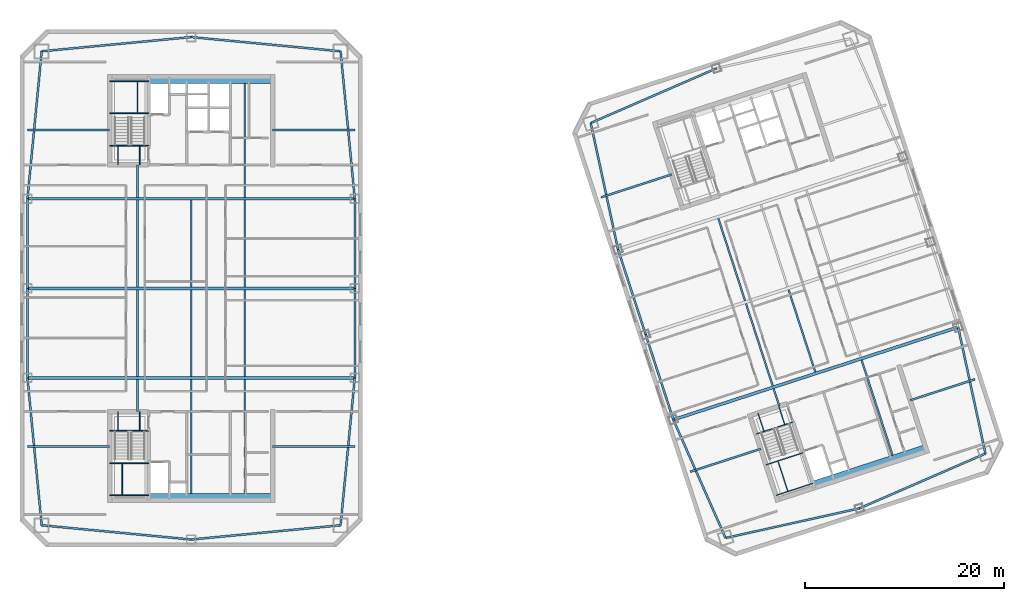
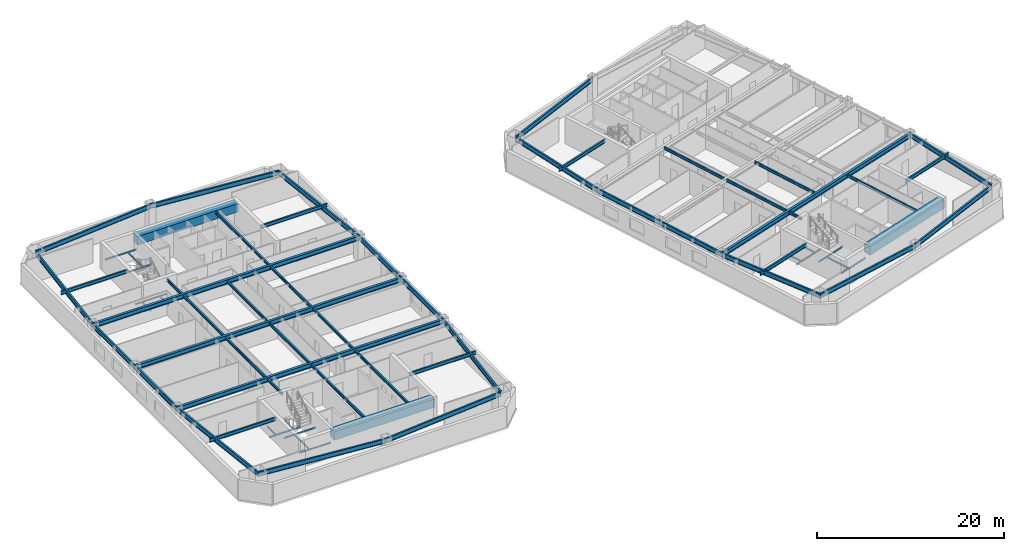
# One storey, part 3 of 13: 68 beams.
"""IFC4 building model written with IfcOpenShell, lengths in metres."""

from ifc_helpers import new_model, si_unit, direction, frame, origin, origin_2d, place, context, subcontext, project, spatial, rectangle, i_section, extrude, material, material_profile, profile_set, type_object, element, save


model = new_model("IFC4")

# Units and contexts
model_context = context("Model", 3, precision=1e-05, world=origin(), true_north=direction((0.0, 1.0)))
body_context = subcontext(model_context, "Body", "Model", "MODEL_VIEW")
ifc_project = project(units=[si_unit("LENGTHUNIT", "METRE"), si_unit("AREAUNIT", "SQUARE_METRE"), si_unit("VOLUMEUNIT", "CUBIC_METRE"), si_unit("PLANEANGLEUNIT", "RADIAN"), si_unit("MASSUNIT", "GRAM", prefix="KILO")], contexts=[model_context])

# Site, building, storey
site_placement = place(None, origin())
site = spatial("IfcSite", under=ifc_project, at=site_placement, CompositionType="ELEMENT")
building_placement = place(site_placement, origin())
building = spatial("IfcBuilding", under=site, at=building_placement, Name="Qiaolan Cultural Towers", CompositionType="ELEMENT")
storey_placement = place(building_placement, frame((0.0, 0.0, 192.050048828125)))
storey = spatial("IfcBuildingStorey", under=building, at=storey_placement, Name="L51", CompositionType="ELEMENT", Elevation=192.050048828125)

# Beams
ifc_material_1 = material(Name="Steel Q355B", Category="steel")
ifc_material_profile_1 = material_profile(ifc_material_1, i_section(OverallWidth=0.300048828125, OverallDepth=0.587890625, WebThickness=0.011962890625, FlangeThickness=0.02001953125, at=origin_2d()), Name="HM588x300x12x20")
ifc_profile_set_1 = profile_set([ifc_material_profile_1], Name="Steel Q355B")
beam_type_1 = type_object("IfcBeamType", Name="BM-HM588x300x12x20", PredefinedType="BEAM", material=ifc_profile_set_1)
for number, where, z_axis, x_axis, name in (
    (1, (13.550048828125, 25.0, 2.89599609375), (1.0, 0.0, 0.0), (0.0, 1.0, 0.0), "L51 T1 Primary Transverse Girder V1"),
    (2, (13.550048828125, 34.0, 2.89599609375), (1.0, 0.0, 0.0), (0.0, 1.0, 0.0), "L51 T1 Primary Transverse Girder V2"),
    (3, (13.550048828125, 43.0, 2.89599609375), (1.0, 0.0, 0.0), (0.0, 1.0, 0.0), "L51 T1 Primary Transverse Girder V3"),
):
    element("IfcBeam", number, at=place(storey_placement, frame(where, z_axis=z_axis, x_axis=x_axis)), inside=storey, type_object=beam_type_1, Name=name, PredefinedType="BEAM", context=body_context, shape_type="SweptSolid", body=[
        extrude(i_section(OverallWidth=0.300048828125, OverallDepth=0.587890625, WebThickness=0.011962890625, FlangeThickness=0.02001953125, at=origin_2d()), origin(), (0.0, 0.0, 1.0), 32.89990234375),
    ])
beam_1_placement = place(storey_placement, frame((78.4677734375, 20.789794921875, 2.89599609375), z_axis=(0.951055226628, 0.309020963535, 0.0), x_axis=(-0.309020963535, 0.951055226628, 0.0)))
element("IfcBeam", 4, at=beam_1_placement, inside=storey, type_object=beam_type_1, Name="L51 T2 Primary Transverse Girder V1", PredefinedType="BEAM", context=body_context, shape_type="SweptSolid", body=[
    extrude(i_section(OverallWidth=0.300048828125, OverallDepth=0.587890625, WebThickness=0.011962890625, FlangeThickness=0.02001953125, at=origin_2d()), origin(), (0.0, 0.0, 1.0), 30.099853515625),
])
ifc_material_2 = material(Name="Steel Q355B", Category="steel")
ifc_material_profile_2 = material_profile(ifc_material_2, i_section(OverallWidth=0.175048828125, OverallDepth=0.35009765625, WebThickness=0.007080078125, FlangeThickness=0.010986328125, at=origin_2d()), Name="HN350x175x7x11")
ifc_profile_set_2 = profile_set([ifc_material_profile_2], Name="Steel Q355B")
beam_type_2 = type_object("IfcBeamType", Name="BM-JST-HN350x175x7x11", PredefinedType="JOIST", material=ifc_profile_set_2)
beam_2_placement = place(storey_placement, frame((24.60009765625, 21.60009765625, 3.014892578125), z_axis=(0.0, 1.0, 0.0), x_axis=(-1.0, 0.0, 0.0)))
element("IfcBeam", 5, at=beam_2_placement, inside=storey, type_object=beam_type_2, Name="L51 T1 Secondary Floor Joist U1-1", PredefinedType="JOIST", context=body_context, shape_type="SweptSolid", body=[
    extrude(i_section(OverallWidth=0.175048828125, OverallDepth=0.35009765625, WebThickness=0.007080078125, FlangeThickness=0.010986328125, at=origin_2d()), origin(), (0.0, 0.0, 1.0), 3.25),
])
for number, where, z_axis, x_axis, name in (
    (6, (24.60009765625, 25.14990234375, 3.014892578125), (0.0, 1.0, 0.0), (-1.0, 0.0, 0.0), "L51 T1 Secondary Floor Joist U1-2"),
    (7, (24.60009765625, 34.14990234375, 3.014892578125), (0.0, 1.0, 0.0), (-1.0, 0.0, 0.0), "L51 T1 Secondary Floor Joist U1-3"),
):
    element("IfcBeam", number, at=place(storey_placement, frame(where, z_axis=z_axis, x_axis=x_axis)), inside=storey, type_object=beam_type_2, Name=name, PredefinedType="JOIST", context=body_context, shape_type="SweptSolid", body=[
        extrude(i_section(OverallWidth=0.175048828125, OverallDepth=0.35009765625, WebThickness=0.007080078125, FlangeThickness=0.010986328125, at=origin_2d()), origin(), (0.0, 0.0, 1.0), 8.7001953125),
    ])
beam_3_placement = place(storey_placement, frame((24.60009765625, 43.14990234375, 3.014892578125), z_axis=(0.0, 1.0, 0.0), x_axis=(-1.0, 0.0, 0.0)))
element("IfcBeam", 8, at=beam_3_placement, inside=storey, type_object=beam_type_2, Name="L51 T1 Secondary Floor Joist U1-4", PredefinedType="JOIST", context=body_context, shape_type="SweptSolid", body=[
    extrude(i_section(OverallWidth=0.175048828125, OverallDepth=0.35009765625, WebThickness=0.007080078125, FlangeThickness=0.010986328125, at=origin_2d()), origin(), (0.0, 0.0, 1.0), 3.25),
])
beam_4_placement = place(storey_placement, frame((30.0, 13.39990234375, 3.014892578125), z_axis=(0.0, 1.0, 0.0), x_axis=(-1.0, 0.0, 0.0)))
element("IfcBeam", 9, at=beam_4_placement, inside=storey, type_object=beam_type_2, Name="L51 T1 Secondary Floor Joist U2-1", PredefinedType="JOIST", context=body_context, shape_type="SweptSolid", body=[
    extrude(i_section(OverallWidth=0.175048828125, OverallDepth=0.35009765625, WebThickness=0.007080078125, FlangeThickness=0.010986328125, at=origin_2d()), origin(), (0.0, 0.0, 1.0), 11.4501953125),
])
for number, where, z_axis, x_axis, name in (
    (10, (30.0, 25.14990234375, 3.014892578125), (0.0, 1.0, 0.0), (-1.0, 0.0, 0.0), "L51 T1 Secondary Floor Joist U2-2"),
    (11, (30.0, 34.14990234375, 3.014892578125), (0.0, 1.0, 0.0), (-1.0, 0.0, 0.0), "L51 T1 Secondary Floor Joist U2-3"),
):
    element("IfcBeam", number, at=place(storey_placement, frame(where, z_axis=z_axis, x_axis=x_axis)), inside=storey, type_object=beam_type_2, Name=name, PredefinedType="JOIST", context=body_context, shape_type="SweptSolid", body=[
        extrude(i_section(OverallWidth=0.175048828125, OverallDepth=0.35009765625, WebThickness=0.007080078125, FlangeThickness=0.010986328125, at=origin_2d()), origin(), (0.0, 0.0, 1.0), 8.7001953125),
    ])
beam_5_placement = place(storey_placement, frame((35.39990234375, 13.39990234375, 3.014892578125), z_axis=(0.0, 1.0, 0.0), x_axis=(-1.0, 0.0, 0.0)))
element("IfcBeam", 12, at=beam_5_placement, inside=storey, type_object=beam_type_2, Name="L51 T1 Secondary Floor Joist U3-1", PredefinedType="JOIST", context=body_context, shape_type="SweptSolid", body=[
    extrude(i_section(OverallWidth=0.175048828125, OverallDepth=0.35009765625, WebThickness=0.007080078125, FlangeThickness=0.010986328125, at=origin_2d()), origin(), (0.0, 0.0, 1.0), 11.4501953125),
])
for number, where, z_axis, x_axis, name in (
    (13, (35.39990234375, 25.14990234375, 3.014892578125), (0.0, 1.0, 0.0), (-1.0, 0.0, 0.0), "L51 T1 Secondary Floor Joist U3-2"),
    (14, (35.39990234375, 34.14990234375, 3.014892578125), (0.0, 1.0, 0.0), (-1.0, 0.0, 0.0), "L51 T1 Secondary Floor Joist U3-3"),
):
    element("IfcBeam", number, at=place(storey_placement, frame(where, z_axis=z_axis, x_axis=x_axis)), inside=storey, type_object=beam_type_2, Name=name, PredefinedType="JOIST", context=body_context, shape_type="SweptSolid", body=[
        extrude(i_section(OverallWidth=0.175048828125, OverallDepth=0.35009765625, WebThickness=0.007080078125, FlangeThickness=0.010986328125, at=origin_2d()), origin(), (0.0, 0.0, 1.0), 8.7001953125),
    ])
beam_6_placement = place(storey_placement, frame((35.39990234375, 43.14990234375, 3.014892578125), z_axis=(0.0, 1.0, 0.0), x_axis=(-1.0, 0.0, 0.0)))
element("IfcBeam", 15, at=beam_6_placement, inside=storey, type_object=beam_type_2, Name="L51 T1 Secondary Floor Joist U3-4", PredefinedType="JOIST", context=body_context, shape_type="SweptSolid", body=[
    extrude(i_section(OverallWidth=0.175048828125, OverallDepth=0.35009765625, WebThickness=0.007080078125, FlangeThickness=0.010986328125, at=origin_2d()), origin(), (0.0, 0.0, 1.0), 11.4501953125),
])
beam_7_placement = place(storey_placement, frame((89.119384765625, 22.147705078125, 3.014892578125), z_axis=(-0.308933885266, 0.951083516067, 0.0), x_axis=(-0.951083516067, -0.308933885266, 0.0)))
element("IfcBeam", 16, at=beam_7_placement, inside=storey, type_object=beam_type_2, Name="L51 T2 Secondary Floor Joist U1-1", PredefinedType="JOIST", context=body_context, shape_type="SweptSolid", body=[
    extrude(i_section(OverallWidth=0.175048828125, OverallDepth=0.35009765625, WebThickness=0.007080078125, FlangeThickness=0.010986328125, at=origin_2d()), origin(), (0.0, 0.0, 1.0), 1.85009765625),
])
for number, where, z_axis, x_axis, name in (
    (17, (88.455078125, 24.192626953125, 3.014892578125), (-0.309020714809, 0.951055307445, 0.0), (-0.951055307445, -0.309020714809, 0.0), "L51 T2 Secondary Floor Joist U1-2"),
    (18, (85.673828125, 32.752197265625, 3.014892578125), (-0.309020714809, 0.951055307445, 0.0), (-0.951055307445, -0.309020714809, 0.0), "L51 T2 Secondary Floor Joist U1-3"),
    (19, (92.73486328125, 25.583251953125, 3.014892578125), (-0.309020714809, 0.951055307445, 0.0), (-0.951055307445, -0.309020714809, 0.0), "L51 T2 Secondary Floor Joist U2-2"),
):
    element("IfcBeam", number, at=place(storey_placement, frame(where, z_axis=z_axis, x_axis=x_axis)), inside=storey, type_object=beam_type_2, Name=name, PredefinedType="JOIST", context=body_context, shape_type="SweptSolid", body=[
        extrude(i_section(OverallWidth=0.175048828125, OverallDepth=0.35009765625, WebThickness=0.007080078125, FlangeThickness=0.010986328125, at=origin_2d()), origin(), (0.0, 0.0, 1.0), 8.699951171875),
    ])
beam_8_placement = place(storey_placement, frame((100.498291015625, 17.222900390625, 3.014892578125), z_axis=(-0.309025649293, 0.951053704098, 0.0), x_axis=(-0.951053704098, -0.309025649293, 0.0)))
element("IfcBeam", 20, at=beam_8_placement, inside=storey, type_object=beam_type_2, Name="L51 T2 Secondary Floor Joist U3-1", PredefinedType="JOIST", context=body_context, shape_type="SweptSolid", body=[
    extrude(i_section(OverallWidth=0.175048828125, OverallDepth=0.35009765625, WebThickness=0.007080078125, FlangeThickness=0.010986328125, at=origin_2d()), origin(), (0.0, 0.0, 1.0), 10.050048828125),
])
ifc_material_3 = material(Name="Steel Q355B", Category="steel")
ifc_material_profile_3 = material_profile(ifc_material_3, i_section(OverallWidth=0.199951171875, OverallDepth=0.449951171875, WebThickness=0.009033203125, FlangeThickness=0.013916015625, at=origin_2d()), Name="HN450x200x9x14")
ifc_profile_set_3 = profile_set([ifc_material_profile_3], Name="Steel Q355B")
beam_type_3 = type_object("IfcBeamType", Name="BM-LNT-HN450x200x9x14", PredefinedType="LINTEL", material=ifc_profile_set_3)
for number, where, z_axis, x_axis, name in (
    (21, (21.800048828125, 18.10009765625, 2.96484375), (-1.0, 0.0, 0.0), (0.0, -1.0, 0.0), "L51 T1 Core Flank Tie Lintel WS"),
    (22, (21.800048828125, 49.89990234375, 2.96484375), (-1.0, 0.0, 0.0), (0.0, -1.0, 0.0), "L51 T1 Core Flank Tie Lintel WN"),
    (23, (38.199951171875, 18.10009765625, 2.96484375), (1.0, 0.0, 0.0), (0.0, 1.0, 0.0), "L51 T1 Core Flank Tie Lintel ES"),
    (24, (38.199951171875, 49.89990234375, 2.96484375), (1.0, 0.0, 0.0), (0.0, 1.0, 0.0), "L51 T1 Core Flank Tie Lintel EN"),
):
    element("IfcBeam", number, at=place(storey_placement, frame(where, z_axis=z_axis, x_axis=x_axis)), inside=storey, type_object=beam_type_3, Name=name, PredefinedType="LINTEL", context=body_context, shape_type="SweptSolid", body=[
        extrude(i_section(OverallWidth=0.199951171875, OverallDepth=0.449951171875, WebThickness=0.009033203125, FlangeThickness=0.013916015625, at=origin_2d()), origin(), (0.0, 0.0, 1.0), 8.25),
    ])
beam_9_placement = place(storey_placement, frame((87.252685546875, 17.861083984375, 2.96484375), z_axis=(-0.951064407856, -0.308992705592, 0.0), x_axis=(0.308992705592, -0.951064407856, 0.0)))
element("IfcBeam", 25, at=beam_9_placement, inside=storey, type_object=beam_type_3, Name="L51 T2 Core Flank Tie Lintel WS", PredefinedType="LINTEL", context=body_context, shape_type="SweptSolid", body=[
    extrude(i_section(OverallWidth=0.199951171875, OverallDepth=0.449951171875, WebThickness=0.009033203125, FlangeThickness=0.013916015625, at=origin_2d()), origin(), (0.0, 0.0, 1.0), 7.449951171875),
])
beam_10_placement = place(storey_placement, frame((78.291259765625, 45.44189453125, 2.96484375), z_axis=(-0.951054777171, -0.309022346796, 0.0), x_axis=(0.309022346796, -0.951054777171, 0.0)))
element("IfcBeam", 26, at=beam_10_placement, inside=storey, type_object=beam_type_3, Name="L51 T2 Core Flank Tie Lintel WN", PredefinedType="LINTEL", context=body_context, shape_type="SweptSolid", body=[
    extrude(i_section(OverallWidth=0.199951171875, OverallDepth=0.449951171875, WebThickness=0.009033203125, FlangeThickness=0.013916015625, at=origin_2d()), origin(), (0.0, 0.0, 1.0), 7.4501953125),
])
beam_11_placement = place(storey_placement, frame((102.279296875, 22.74365234375, 2.96484375), z_axis=(0.951061565824, 0.30900145309, 0.0), x_axis=(-0.30900145309, 0.951061565824, 0.0)))
element("IfcBeam", 27, at=beam_11_placement, inside=storey, type_object=beam_type_3, Name="L51 T2 Core Flank Tie Lintel ES", PredefinedType="LINTEL", context=body_context, shape_type="SweptSolid", body=[
    extrude(i_section(OverallWidth=0.199951171875, OverallDepth=0.449951171875, WebThickness=0.009033203125, FlangeThickness=0.013916015625, at=origin_2d()), origin(), (0.0, 0.0, 1.0), 6.85009765625),
])
ifc_material_4 = material(Name="Concrete C50", Category="concrete")
ifc_material_profile_4 = material_profile(ifc_material_4, rectangle(XDim=0.89990234375, YDim=1.10009765625, at=origin_2d()), Name="RC900x1100")
ifc_profile_set_4 = profile_set([ifc_material_profile_4], Name="Concrete C50")
beam_type_4 = type_object("IfcBeamType", Name="BM-RC900x1100", PredefinedType="BEAM", material=ifc_profile_set_4)
for number, where, z_axis, x_axis, name in (
    (28, (25.719970703125, 12.949951171875, 2.639892578125), (1.0, 0.0, 0.0), (0.0, 1.0, 0.0), "L51 T1 Core Header Girder S"),
    (29, (25.719970703125, 55.050048828125, 2.639892578125), (1.0, 0.0, 0.0), (0.0, 1.0, 0.0), "L51 T1 Core Header Girder N"),
):
    element("IfcBeam", number, at=place(storey_placement, frame(where, z_axis=z_axis, x_axis=x_axis)), inside=storey, type_object=beam_type_4, Name=name, PredefinedType="BEAM", context=body_context, shape_type="SweptSolid", body=[
        extrude(rectangle(XDim=0.89990234375, YDim=1.10009765625, at=origin_2d()), origin(), (0.0, 0.0, 1.0), 12.47998046875),
    ])
beam_12_placement = place(storey_placement, frame((92.572265625, 14.174560546875, 2.639892578125), z_axis=(0.951056266386, 0.309017763514, 0.0), x_axis=(-0.309017763514, 0.951056266386, 0.0)))
element("IfcBeam", 30, at=beam_12_placement, inside=storey, type_object=beam_type_4, Name="L51 T2 Core Header Girder S", PredefinedType="BEAM", context=body_context, shape_type="SweptSolid", body=[
    extrude(rectangle(XDim=0.89990234375, YDim=1.10009765625, at=origin_2d()), origin(), (0.0, 0.0, 1.0), 11.880126953125),
])
ifc_material_5 = material(Name="Steel Q355B", Category="steel")
ifc_material_profile_5 = material_profile(ifc_material_5, i_section(OverallWidth=0.199951171875, OverallDepth=0.60009765625, WebThickness=0.010986328125, FlangeThickness=0.01708984375, at=origin_2d()), Name="HN600x200x11x17")
ifc_profile_set_5 = profile_set([ifc_material_profile_5], Name="Steel Q355B")
beam_type_5 = type_object("IfcBeamType", Name="BM-SPD-HN600x200x11x17", PredefinedType="SPANDREL", material=ifc_profile_set_5)
for number, where, z_axis, x_axis, name in (
    (31, (14.97998046875, 10.179931640625, 2.889892578125), (0.995498889995, -0.094773203061, 0.0), (0.094773203061, 0.995498889995, 0.0), "L51 T1 Perimeter Spandrel Beam 1"),
    (32, (30.0, 8.75, 2.889892578125), (0.995498889995, 0.094773203061, 0.0), (-0.094773203061, 0.995498889995, 0.0), "L51 T1 Perimeter Spandrel Beam 2"),
):
    element("IfcBeam", number, at=place(storey_placement, frame(where, z_axis=z_axis, x_axis=x_axis)), inside=storey, type_object=beam_type_5, Name=name, PredefinedType="SPANDREL", context=body_context, shape_type="SweptSolid", body=[
        extrude(i_section(OverallWidth=0.199951171875, OverallDepth=0.60009765625, WebThickness=0.010986328125, FlangeThickness=0.01708984375, at=origin_2d()), origin(), (0.0, 0.0, 1.0), 15.087890625),
    ])
beam_13_placement = place(storey_placement, frame((45.02001953125, 10.179931640625, 2.889892578125), z_axis=(0.096040159186, 0.995377459974, 0.0), x_axis=(-0.995377459974, 0.096040159186, 0.0)))
element("IfcBeam", 33, at=beam_13_placement, inside=storey, type_object=beam_type_5, Name="L51 T1 Perimeter Spandrel Beam 3", PredefinedType="SPANDREL", context=body_context, shape_type="SweptSolid", body=[
    extrude(i_section(OverallWidth=0.199951171875, OverallDepth=0.60009765625, WebThickness=0.010986328125, FlangeThickness=0.01708984375, at=origin_2d()), origin(), (0.0, 0.0, 1.0), 14.888916015625),
])
for number, where, z_axis, x_axis, name in (
    (34, (46.449951171875, 25.0, 2.889892578125), (0.0, 1.0, 0.0), (-1.0, 0.0, 0.0), "L51 T1 Perimeter Spandrel Beam 4"),
    (35, (46.449951171875, 34.0, 2.889892578125), (0.0, 1.0, 0.0), (-1.0, 0.0, 0.0), "L51 T1 Perimeter Spandrel Beam 5"),
):
    element("IfcBeam", number, at=place(storey_placement, frame(where, z_axis=z_axis, x_axis=x_axis)), inside=storey, type_object=beam_type_5, Name=name, PredefinedType="SPANDREL", context=body_context, shape_type="SweptSolid", body=[
        extrude(i_section(OverallWidth=0.199951171875, OverallDepth=0.60009765625, WebThickness=0.010986328125, FlangeThickness=0.01708984375, at=origin_2d()), origin(), (0.0, 0.0, 1.0), 9.0),
    ])
beam_14_placement = place(storey_placement, frame((46.449951171875, 43.0, 2.889892578125), z_axis=(-0.096040159186, 0.995377459974, 0.0), x_axis=(-0.995377459974, -0.096040159186, 0.0)))
element("IfcBeam", 36, at=beam_14_placement, inside=storey, type_object=beam_type_5, Name="L51 T1 Perimeter Spandrel Beam 6", PredefinedType="SPANDREL", context=body_context, shape_type="SweptSolid", body=[
    extrude(i_section(OverallWidth=0.199951171875, OverallDepth=0.60009765625, WebThickness=0.010986328125, FlangeThickness=0.01708984375, at=origin_2d()), origin(), (0.0, 0.0, 1.0), 14.888916015625),
])
for number, where, z_axis, x_axis, name in (
    (37, (45.02001953125, 57.820068359375, 2.889892578125), (-0.995498889995, 0.094773203061, 0.0), (-0.094773203061, -0.995498889995, 0.0), "L51 T1 Perimeter Spandrel Beam 7"),
    (38, (30.0, 59.25, 2.889892578125), (-0.995498889995, -0.094773203061, 0.0), (0.094773203061, -0.995498889995, 0.0), "L51 T1 Perimeter Spandrel Beam 8"),
):
    element("IfcBeam", number, at=place(storey_placement, frame(where, z_axis=z_axis, x_axis=x_axis)), inside=storey, type_object=beam_type_5, Name=name, PredefinedType="SPANDREL", context=body_context, shape_type="SweptSolid", body=[
        extrude(i_section(OverallWidth=0.199951171875, OverallDepth=0.60009765625, WebThickness=0.010986328125, FlangeThickness=0.01708984375, at=origin_2d()), origin(), (0.0, 0.0, 1.0), 15.087890625),
    ])
beam_15_placement = place(storey_placement, frame((14.97998046875, 57.820068359375, 2.889892578125), z_axis=(-0.096040159186, -0.995377459974, 0.0), x_axis=(0.995377459974, -0.096040159186, 0.0)))
element("IfcBeam", 39, at=beam_15_placement, inside=storey, type_object=beam_type_5, Name="L51 T1 Perimeter Spandrel Beam 9", PredefinedType="SPANDREL", context=body_context, shape_type="SweptSolid", body=[
    extrude(i_section(OverallWidth=0.199951171875, OverallDepth=0.60009765625, WebThickness=0.010986328125, FlangeThickness=0.01708984375, at=origin_2d()), origin(), (0.0, 0.0, 1.0), 14.888916015625),
])
for number, where, z_axis, x_axis, name in (
    (40, (13.550048828125, 43.0, 2.889892578125), (0.0, -1.0, 0.0), (1.0, 0.0, 0.0), "L51 T1 Perimeter Spandrel Beam 10"),
    (41, (13.550048828125, 34.0, 2.889892578125), (0.0, -1.0, 0.0), (1.0, 0.0, 0.0), "L51 T1 Perimeter Spandrel Beam 11"),
):
    element("IfcBeam", number, at=place(storey_placement, frame(where, z_axis=z_axis, x_axis=x_axis)), inside=storey, type_object=beam_type_5, Name=name, PredefinedType="SPANDREL", context=body_context, shape_type="SweptSolid", body=[
        extrude(i_section(OverallWidth=0.199951171875, OverallDepth=0.60009765625, WebThickness=0.010986328125, FlangeThickness=0.01708984375, at=origin_2d()), origin(), (0.0, 0.0, 1.0), 9.0),
    ])
beam_16_placement = place(storey_placement, frame((13.550048828125, 25.0, 2.889892578125), z_axis=(0.096040159186, -0.995377459974, 0.0), x_axis=(0.995377459974, 0.096040159186, 0.0)))
element("IfcBeam", 42, at=beam_16_placement, inside=storey, type_object=beam_type_5, Name="L51 T1 Perimeter Spandrel Beam 12", PredefinedType="SPANDREL", context=body_context, shape_type="SweptSolid", body=[
    extrude(i_section(OverallWidth=0.199951171875, OverallDepth=0.60009765625, WebThickness=0.010986328125, FlangeThickness=0.01708984375, at=origin_2d()), origin(), (0.0, 0.0, 1.0), 14.888916015625),
])
beam_17_placement = place(storey_placement, frame((83.71875, 8.900634765625, 2.889892578125), z_axis=(0.976265293399, 0.216578108094, 0.0), x_axis=(-0.216578108094, 0.976265293399, 0.0)))
element("IfcBeam", 43, at=beam_17_placement, inside=storey, type_object=beam_type_5, Name="L51 T2 Perimeter Spandrel Beam 1", PredefinedType="SPANDREL", context=body_context, shape_type="SweptSolid", body=[
    extrude(i_section(OverallWidth=0.199951171875, OverallDepth=0.60009765625, WebThickness=0.010986328125, FlangeThickness=0.01708984375, at=origin_2d()), origin(), (0.0, 0.0, 1.0), 13.793212890625),
])
beam_18_placement = place(storey_placement, frame((97.1845703125, 11.887939453125, 2.889892578125), z_axis=(0.917117043091, 0.398618024268, 0.0), x_axis=(-0.398618024268, 0.917117043091, 0.0)))
element("IfcBeam", 44, at=beam_18_placement, inside=storey, type_object=beam_type_5, Name="L51 T2 Perimeter Spandrel Beam 2", PredefinedType="SPANDREL", context=body_context, shape_type="SweptSolid", body=[
    extrude(i_section(OverallWidth=0.199951171875, OverallDepth=0.60009765625, WebThickness=0.010986328125, FlangeThickness=0.01708984375, at=origin_2d()), origin(), (0.0, 0.0, 1.0), 13.79345703125),
])
beam_19_placement = place(storey_placement, frame((109.834716796875, 17.38623046875, 2.889892578125), z_axis=(-0.210832241173, 0.977522258612, 0.0), x_axis=(-0.977522258612, -0.210832241173, 0.0)))
element("IfcBeam", 45, at=beam_19_placement, inside=storey, type_object=beam_type_5, Name="L51 T2 Perimeter Spandrel Beam 3", PredefinedType="SPANDREL", context=body_context, shape_type="SweptSolid", body=[
    extrude(i_section(OverallWidth=0.199951171875, OverallDepth=0.60009765625, WebThickness=0.010986328125, FlangeThickness=0.01708984375, at=origin_2d()), origin(), (0.0, 0.0, 1.0), 12.997314453125),
])
beam_20_placement = place(storey_placement, frame((82.8154296875, 56.112060546875, 2.889892578125), z_axis=(-0.917117043091, -0.398618024268, 0.0), x_axis=(0.398618024268, -0.917117043091, 0.0)))
element("IfcBeam", 46, at=beam_20_placement, inside=storey, type_object=beam_type_5, Name="L51 T2 Perimeter Spandrel Beam 8", PredefinedType="SPANDREL", context=body_context, shape_type="SweptSolid", body=[
    extrude(i_section(OverallWidth=0.199951171875, OverallDepth=0.60009765625, WebThickness=0.010986328125, FlangeThickness=0.01708984375, at=origin_2d()), origin(), (0.0, 0.0, 1.0), 13.79345703125),
])
beam_21_placement = place(storey_placement, frame((70.165283203125, 50.61376953125, 2.889892578125), z_axis=(0.210832241173, -0.977522258612, 0.0), x_axis=(0.977522258612, 0.210832241173, 0.0)))
element("IfcBeam", 47, at=beam_21_placement, inside=storey, type_object=beam_type_5, Name="L51 T2 Perimeter Spandrel Beam 9", PredefinedType="SPANDREL", context=body_context, shape_type="SweptSolid", body=[
    extrude(i_section(OverallWidth=0.199951171875, OverallDepth=0.60009765625, WebThickness=0.010986328125, FlangeThickness=0.01708984375, at=origin_2d()), origin(), (0.0, 0.0, 1.0), 12.997314453125),
])
beam_22_placement = place(storey_placement, frame((72.905517578125, 37.90869140625, 2.889892578125), z_axis=(0.309008170129, -0.951059383421, 0.0), x_axis=(0.951059383421, 0.309008170129, 0.0)))
element("IfcBeam", 48, at=beam_22_placement, inside=storey, type_object=beam_type_5, Name="L51 T2 Perimeter Spandrel Beam 10", PredefinedType="SPANDREL", context=body_context, shape_type="SweptSolid", body=[
    extrude(i_section(OverallWidth=0.199951171875, OverallDepth=0.60009765625, WebThickness=0.010986328125, FlangeThickness=0.01708984375, at=origin_2d()), origin(), (0.0, 0.0, 1.0), 8.999755859375),
])
beam_23_placement = place(storey_placement, frame((75.6865234375, 29.349365234375, 2.889892578125), z_axis=(0.309024734286, -0.951054001411, 0.0), x_axis=(0.951054001411, 0.309024734286, 0.0)))
element("IfcBeam", 49, at=beam_23_placement, inside=storey, type_object=beam_type_5, Name="L51 T2 Perimeter Spandrel Beam 11", PredefinedType="SPANDREL", context=body_context, shape_type="SweptSolid", body=[
    extrude(i_section(OverallWidth=0.199951171875, OverallDepth=0.60009765625, WebThickness=0.010986328125, FlangeThickness=0.01708984375, at=origin_2d()), origin(), (0.0, 0.0, 1.0), 9.0),
])
beam_24_placement = place(storey_placement, frame((78.4677734375, 20.789794921875, 2.889892578125), z_axis=(0.404011070002, -0.914754095545, 0.0), x_axis=(0.914754095545, 0.404011070002, 0.0)))
element("IfcBeam", 50, at=beam_24_placement, inside=storey, type_object=beam_type_5, Name="L51 T2 Perimeter Spandrel Beam 12", PredefinedType="SPANDREL", context=body_context, shape_type="SweptSolid", body=[
    extrude(i_section(OverallWidth=0.199951171875, OverallDepth=0.60009765625, WebThickness=0.010986328125, FlangeThickness=0.01708984375, at=origin_2d()), origin(), (0.0, 0.0, 1.0), 12.9970703125),
])
ifc_material_6 = material(Name="Steel Q355B", Category="steel")
ifc_material_profile_6 = material_profile(ifc_material_6, i_section(OverallWidth=0.10009765625, OverallDepth=0.199951171875, WebThickness=0.005615234375, FlangeThickness=0.008056640625, at=origin_2d()), Name="HN200x100x5.5x8")
ifc_profile_set_6 = profile_set([ifc_material_profile_6], Name="Steel Q355B")
beam_type_6 = type_object("IfcBeamType", Name="BM-STTRIM-200", PredefinedType="BEAM", material=ifc_profile_set_6)
beam_25_placement = place(storey_placement, frame((21.800048828125, 19.659912109375, -0.4599609375), z_axis=(1.0, 0.0, 0.0), x_axis=(0.0, 1.0, 0.0)))
element("IfcBeam", 51, at=beam_25_placement, inside=storey, type_object=beam_type_6, Name="L51 ST-W1 Floor Landing Header Beam", PredefinedType="BEAM", context=body_context, shape_type="SweptSolid", body=[
    extrude(i_section(OverallWidth=0.10009765625, OverallDepth=0.199951171875, WebThickness=0.005615234375, FlangeThickness=0.008056640625, at=origin_2d()), origin(), (0.0, 0.0, 1.0), 3.919921875),
])
for number, where, z_axis, x_axis, name in (
    (52, (22.64990234375, 21.60009765625, -0.4599609375), (0.0, -1.0, 0.0), (1.0, 0.0, 0.0), "L51 ST-W1 Floor Landing Stringer 1"),
    (53, (24.85009765625, 21.60009765625, -0.4599609375), (0.0, -1.0, 0.0), (1.0, 0.0, 0.0), "L51 ST-W1 Floor Landing Stringer 2"),
):
    element("IfcBeam", number, at=place(storey_placement, frame(where, z_axis=z_axis, x_axis=x_axis)), inside=storey, type_object=beam_type_6, Name=name, PredefinedType="BEAM", context=body_context, shape_type="SweptSolid", body=[
        extrude(i_section(OverallWidth=0.10009765625, OverallDepth=0.199951171875, WebThickness=0.005615234375, FlangeThickness=0.008056640625, at=origin_2d()), origin(), (0.0, 0.0, 1.0), 1.940185546875),
    ])
for number, where, z_axis, x_axis, name in (
    (54, (21.800048828125, 16.411376953125, 1.425048828125), (1.0, 0.0, 0.0), (0.0, 1.0, 0.0), "L51 ST-W1 Stair Landing Support Beam 1-1"),
    (55, (21.800048828125, 13.179931640625, 1.425048828125), (1.0, 0.0, 0.0), (0.0, 1.0, 0.0), "L51 ST-W1 Stair Landing Support Beam 1-2"),
):
    element("IfcBeam", number, at=place(storey_placement, frame(where, z_axis=z_axis, x_axis=x_axis)), inside=storey, type_object=beam_type_6, Name=name, PredefinedType="BEAM", context=body_context, shape_type="SweptSolid", body=[
        extrude(i_section(OverallWidth=0.10009765625, OverallDepth=0.199951171875, WebThickness=0.005615234375, FlangeThickness=0.008056640625, at=origin_2d()), origin(), (0.0, 0.0, 1.0), 3.919921875),
    ])
beam_26_placement = place(storey_placement, frame((23.070068359375, 16.411376953125, 1.425048828125), z_axis=(0.0, -1.0, 0.0), x_axis=(1.0, 0.0, 0.0)))
element("IfcBeam", 56, at=beam_26_placement, inside=storey, type_object=beam_type_6, Name="L51 ST-W1 Stair Landing Trimmer 1", PredefinedType="BEAM", context=body_context, shape_type="SweptSolid", body=[
    extrude(i_section(OverallWidth=0.10009765625, OverallDepth=0.199951171875, WebThickness=0.005615234375, FlangeThickness=0.008056640625, at=origin_2d()), origin(), (0.0, 0.0, 1.0), 3.2314453125),
])
beam_27_placement = place(storey_placement, frame((21.800048828125, 48.340087890625, -0.4599609375), z_axis=(1.0, 0.0, 0.0), x_axis=(0.0, 1.0, 0.0)))
element("IfcBeam", 57, at=beam_27_placement, inside=storey, type_object=beam_type_6, Name="L51 ST-W2 Floor Landing Header Beam", PredefinedType="BEAM", context=body_context, shape_type="SweptSolid", body=[
    extrude(i_section(OverallWidth=0.10009765625, OverallDepth=0.199951171875, WebThickness=0.005615234375, FlangeThickness=0.008056640625, at=origin_2d()), origin(), (0.0, 0.0, 1.0), 3.919921875),
])
for number, where, z_axis, x_axis, name in (
    (58, (22.64990234375, 46.39990234375, -0.4599609375), (0.0, 1.0, 0.0), (-1.0, 0.0, 0.0), "L51 ST-W2 Floor Landing Stringer 1"),
    (59, (24.85009765625, 46.39990234375, -0.4599609375), (0.0, 1.0, 0.0), (-1.0, 0.0, 0.0), "L51 ST-W2 Floor Landing Stringer 2"),
):
    element("IfcBeam", number, at=place(storey_placement, frame(where, z_axis=z_axis, x_axis=x_axis)), inside=storey, type_object=beam_type_6, Name=name, PredefinedType="BEAM", context=body_context, shape_type="SweptSolid", body=[
        extrude(i_section(OverallWidth=0.10009765625, OverallDepth=0.199951171875, WebThickness=0.005615234375, FlangeThickness=0.008056640625, at=origin_2d()), origin(), (0.0, 0.0, 1.0), 1.940185546875),
    ])
for number, where, z_axis, x_axis, name in (
    (60, (21.800048828125, 51.588623046875, 1.425048828125), (1.0, 0.0, 0.0), (0.0, 1.0, 0.0), "L51 ST-W2 Stair Landing Support Beam 1-1"),
    (61, (21.800048828125, 54.820068359375, 1.425048828125), (1.0, 0.0, 0.0), (0.0, 1.0, 0.0), "L51 ST-W2 Stair Landing Support Beam 1-2"),
):
    element("IfcBeam", number, at=place(storey_placement, frame(where, z_axis=z_axis, x_axis=x_axis)), inside=storey, type_object=beam_type_6, Name=name, PredefinedType="BEAM", context=body_context, shape_type="SweptSolid", body=[
        extrude(i_section(OverallWidth=0.10009765625, OverallDepth=0.199951171875, WebThickness=0.005615234375, FlangeThickness=0.008056640625, at=origin_2d()), origin(), (0.0, 0.0, 1.0), 3.919921875),
    ])
beam_28_placement = place(storey_placement, frame((24.610107421875, 51.588623046875, 1.425048828125), z_axis=(0.0, 1.0, 0.0), x_axis=(-1.0, 0.0, 0.0)))
element("IfcBeam", 62, at=beam_28_placement, inside=storey, type_object=beam_type_6, Name="L51 ST-W2 Stair Landing Trimmer 1", PredefinedType="BEAM", context=body_context, shape_type="SweptSolid", body=[
    extrude(i_section(OverallWidth=0.10009765625, OverallDepth=0.199951171875, WebThickness=0.005615234375, FlangeThickness=0.008056640625, at=origin_2d()), origin(), (0.0, 0.0, 1.0), 3.2314453125),
])
beam_29_placement = place(storey_placement, frame((86.770751953125, 19.3447265625, -0.4599609375), z_axis=(0.951047798727, 0.309043823005, 0.0), x_axis=(-0.309043823005, 0.951047798727, 0.0)))
element("IfcBeam", 63, at=beam_29_placement, inside=storey, type_object=beam_type_6, Name="L51 ST-E1 Floor Landing Header Beam", PredefinedType="BEAM", context=body_context, shape_type="SweptSolid", body=[
    extrude(i_section(OverallWidth=0.10009765625, OverallDepth=0.199951171875, WebThickness=0.005615234375, FlangeThickness=0.008056640625, at=origin_2d()), origin(), (0.0, 0.0, 1.0), 3.919921875),
])
for number, where, z_axis, x_axis, name in (
    (64, (86.9794921875, 21.452392578125, -0.4599609375), (0.309083226701, -0.951034993558, 0.0), (0.951034993558, 0.309083226701, 0.0), "L51 ST-E1 Floor Landing Stringer 1"),
    (65, (89.07177734375, 22.13232421875, -0.4599609375), (0.309083226701, -0.951034993558, 0.0), (0.951034993558, 0.309083226701, 0.0), "L51 ST-E1 Floor Landing Stringer 2"),
):
    element("IfcBeam", number, at=place(storey_placement, frame(where, z_axis=z_axis, x_axis=x_axis)), inside=storey, type_object=beam_type_6, Name=name, PredefinedType="BEAM", context=body_context, shape_type="SweptSolid", body=[
        extrude(i_section(OverallWidth=0.10009765625, OverallDepth=0.199951171875, WebThickness=0.005615234375, FlangeThickness=0.008056640625, at=origin_2d()), origin(), (0.0, 0.0, 1.0), 1.93994140625),
    ])
for number, where, z_axis, x_axis, name in (
    (66, (87.774658203125, 16.255126953125, 1.425048828125), (0.951047798727, 0.309043823005, 0.0), (-0.309043823005, 0.951047798727, 0.0), "L51 ST-E1 Stair Landing Support Beam 1-1"),
    (67, (88.773193359375, 13.181884765625, 1.425048828125), (0.951047798727, 0.309043823005, 0.0), (-0.309043823005, 0.951047798727, 0.0), "L51 ST-E1 Stair Landing Support Beam 1-2"),
):
    element("IfcBeam", number, at=place(storey_placement, frame(where, z_axis=z_axis, x_axis=x_axis)), inside=storey, type_object=beam_type_6, Name=name, PredefinedType="BEAM", context=body_context, shape_type="SweptSolid", body=[
        extrude(i_section(OverallWidth=0.10009765625, OverallDepth=0.199951171875, WebThickness=0.005615234375, FlangeThickness=0.008056640625, at=origin_2d()), origin(), (0.0, 0.0, 1.0), 3.919921875),
    ])
beam_30_placement = place(storey_placement, frame((88.982421875, 16.6474609375, 1.425048828125), z_axis=(0.309033108495, -0.951051280349, 0.0), x_axis=(0.951051280349, 0.309033108495, 0.0)))
element("IfcBeam", 68, at=beam_30_placement, inside=storey, type_object=beam_type_6, Name="L51 ST-E1 Stair Landing Trimmer 1", PredefinedType="BEAM", context=body_context, shape_type="SweptSolid", body=[
    extrude(i_section(OverallWidth=0.10009765625, OverallDepth=0.199951171875, WebThickness=0.005615234375, FlangeThickness=0.008056640625, at=origin_2d()), origin(), (0.0, 0.0, 1.0), 3.231201171875),
])

save(model, "model.ifc")
